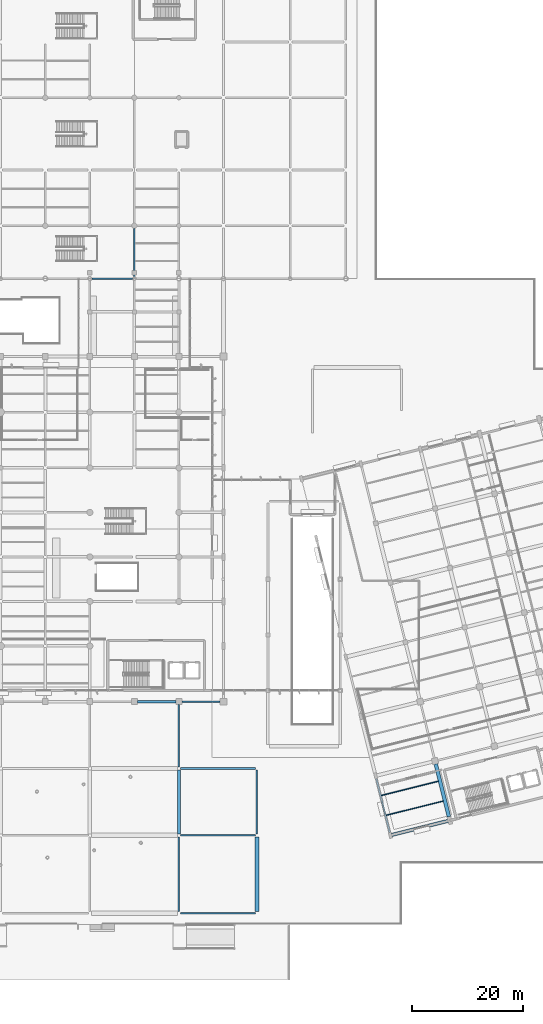
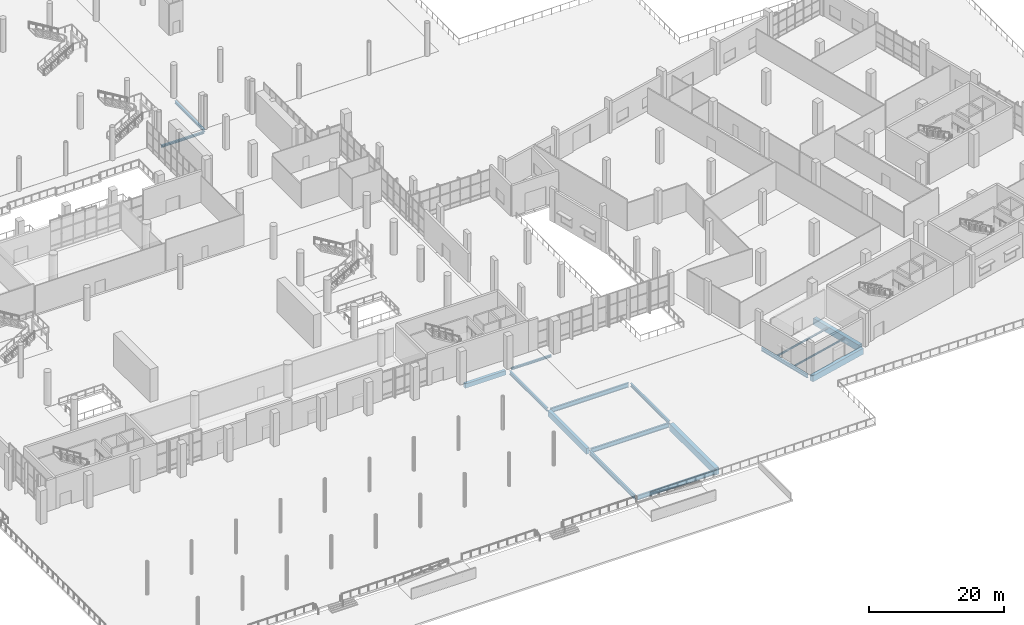
# One storey, part 78 of 163: 17 beams.
"""IFC4 building model written with IfcOpenShell, lengths in metres."""

from ifc_helpers import new_model, si_unit, direction, frame, origin, origin_2d, place, context, subcontext, project, spatial, rectangle, i_section, extrude, material, material_profile, profile_set, type_object, element, save


model = new_model("IFC4")

# Units and contexts
model_context = context("Model", 3, precision=1e-05, world=origin(), true_north=direction((0.0, 1.0)))
body_context = subcontext(model_context, "Body", "Model", "MODEL_VIEW")
ifc_project = project(units=[si_unit("LENGTHUNIT", "METRE"), si_unit("AREAUNIT", "SQUARE_METRE"), si_unit("VOLUMEUNIT", "CUBIC_METRE"), si_unit("PLANEANGLEUNIT", "RADIAN"), si_unit("MASSUNIT", "GRAM", prefix="KILO")], contexts=[model_context])

# Site, building, storey
site_placement = place(None, origin())
site = spatial("IfcSite", under=ifc_project, at=site_placement, CompositionType="ELEMENT")
building_placement = place(site_placement, origin())
building = spatial("IfcBuilding", under=site, at=building_placement, Name="Khorjan Park Terminus", CompositionType="ELEMENT")
storey_placement = place(building_placement, origin())
storey = spatial("IfcBuildingStorey", under=building, at=storey_placement, Name="L00", CompositionType="ELEMENT", Elevation=0.0)

# Beams
ifc_material_1 = material(Name="Steel S355", Category="steel")
ifc_material_profile_1 = material_profile(ifc_material_1, i_section(OverallWidth=0.3, OverallDepth=0.39, WebThickness=0.011, FlangeThickness=0.019, FilletRadius=0.027, at=origin_2d()), Name="HEA 400")
ifc_profile_set_1 = profile_set([ifc_material_profile_1], Name="Steel S355")
beam_type_1 = type_object("IfcBeamType", Name="BM-HEA400", PredefinedType="BEAM", material=ifc_profile_set_1)
beam_1_placement = place(storey_placement, frame((128.52, 26.0, -0.515), z_axis=(1.0, 0.0, 0.0), x_axis=(0.0, 1.0, 0.0)))
element("IfcBeam", 1, at=beam_1_placement, inside=storey, type_object=beam_type_1, Name="Primary floor girder SB-A40 (L00)", PredefinedType="BEAM", context=body_context, shape_type="SweptSolid", body=[
    extrude(i_section(OverallWidth=0.3, OverallDepth=0.39, WebThickness=0.011, FlangeThickness=0.019, FilletRadius=0.027, at=origin_2d()), origin(), (0.0, 0.0, 1.0), 6.885),
])
beam_2_placement = place(storey_placement, frame((112.3505, 102.0, -0.595), z_axis=(1.0, 0.0, 0.0), x_axis=(0.0, 1.0, 0.0)))
element("IfcBeam", 2, at=beam_2_placement, inside=storey, type_object=beam_type_1, Name="Primary floor girder SB-A40 (L00)", PredefinedType="BEAM", context=body_context, shape_type="SweptSolid", body=[
    extrude(i_section(OverallWidth=0.3, OverallDepth=0.39, WebThickness=0.011, FlangeThickness=0.019, FilletRadius=0.027, at=origin_2d()), origin(), (0.0, 0.0, 1.0), 7.3495),
])
ifc_material_profile_2 = material_profile(ifc_material_1, i_section(OverallWidth=0.3, OverallDepth=0.49, WebThickness=0.012, FlangeThickness=0.023, FilletRadius=0.027, at=origin_2d()), Name="HEA 500")
ifc_profile_set_2 = profile_set([ifc_material_profile_2], Name="Steel S355")
beam_type_2 = type_object("IfcBeamType", Name="BM-HEA500", PredefinedType="BEAM", material=ifc_profile_set_2)
beam_3_placement = place(storey_placement, frame((120.0, 102.3, -0.645), z_axis=(0.0, 1.0, 0.0), x_axis=(-1.0, 0.0, 0.0)))
element("IfcBeam", 3, at=beam_3_placement, inside=storey, type_object=beam_type_2, Name="Primary floor girder SB-A50 (L00)", PredefinedType="BEAM", context=body_context, shape_type="SweptSolid", body=[
    extrude(i_section(OverallWidth=0.3, OverallDepth=0.49, WebThickness=0.012, FlangeThickness=0.023, FilletRadius=0.027, at=origin_2d()), origin(), (0.0, 0.0, 1.0), 8.73),
])
ifc_material_profile_3 = material_profile(ifc_material_1, i_section(OverallWidth=0.3, OverallDepth=0.64, WebThickness=0.0135, FlangeThickness=0.026, FilletRadius=0.027, at=origin_2d()), Name="HEA 650")
ifc_profile_set_3 = profile_set([ifc_material_profile_3], Name="Steel S355")
beam_type_3 = type_object("IfcBeamType", Name="BM-HEA650", PredefinedType="BEAM", material=ifc_profile_set_3)
beam_4_placement = place(storey_placement, frame((165.8682, 2.5288, -0.68), z_axis=(-0.24192775306, 0.970294265828, 0.0), x_axis=(-0.970294265828, -0.24192775306, 0.0)))
element("IfcBeam", 4, at=beam_4_placement, inside=storey, type_object=beam_type_3, Name="Primary skew-grid floor girder SB-A65 (L00)", PredefinedType="BEAM", context=body_context, shape_type="SweptSolid", body=[
    extrude(i_section(OverallWidth=0.3, OverallDepth=0.64, WebThickness=0.0135, FlangeThickness=0.026, FilletRadius=0.027, at=origin_2d()), origin(), (0.0, 0.0, 1.0), 9.91),
])
ifc_material_profile_4 = material_profile(ifc_material_1, i_section(OverallWidth=0.3, OverallDepth=0.6, WebThickness=0.0155, FlangeThickness=0.03, FilletRadius=0.027, at=origin_2d()), Name="HEB 600")
ifc_profile_set_4 = profile_set([ifc_material_profile_4], Name="Steel S355")
beam_type_4 = type_object("IfcBeamType", Name="BM-HEB600", PredefinedType="BEAM", material=ifc_profile_set_4)
beam_5_placement = place(storey_placement, frame((128.0, 14.27, -0.62), z_axis=(0.0, 1.0, 0.0), x_axis=(-1.0, 0.0, 0.0)))
element("IfcBeam", 5, at=beam_5_placement, inside=storey, type_object=beam_type_4, Name="Primary floor girder SB-B60 (L00)", PredefinedType="BEAM", context=body_context, shape_type="SweptSolid", body=[
    extrude(i_section(OverallWidth=0.3, OverallDepth=0.6, WebThickness=0.0155, FlangeThickness=0.03, FilletRadius=0.027, at=origin_2d()), origin(), (0.0, 0.0, 1.0), 11.21),
])
beam_6_placement = place(storey_placement, frame((142.0, 2.27, -0.62), z_axis=(0.0, 1.0, 0.0), x_axis=(-1.0, 0.0, 0.0)))
element("IfcBeam", 6, at=beam_6_placement, inside=storey, type_object=beam_type_4, Name="Primary floor girder SB-B60 (L00)", PredefinedType="BEAM", context=body_context, shape_type="SweptSolid", body=[
    extrude(i_section(OverallWidth=0.3, OverallDepth=0.6, WebThickness=0.0155, FlangeThickness=0.03, FilletRadius=0.027, at=origin_2d()), origin(), (0.0, 0.0, 1.0), 11.46),
])
ifc_material_profile_5 = material_profile(ifc_material_1, i_section(OverallWidth=0.3, OverallDepth=0.8, WebThickness=0.0175, FlangeThickness=0.033, FilletRadius=0.03, at=origin_2d()), Name="HEB 800")
ifc_profile_set_5 = profile_set([ifc_material_profile_5], Name="Steel S355")
beam_type_5 = type_object("IfcBeamType", Name="BM-HEB800", PredefinedType="BEAM", material=ifc_profile_set_5)
for number, where, z_axis, x_axis, name in (
    (7, (128.27, -12.0, -0.72), (1.0, 0.0, 0.0), (0.0, 1.0, 0.0), "Primary floor girder SB-B80 (L00)"),
    (8, (128.27, 2.0, -0.72), (1.0, 0.0, 0.0), (0.0, 1.0, 0.0), "Primary floor girder SB-B80 (L00)"),
    (9, (128.27, 14.0, -0.72), (1.0, 0.0, 0.0), (0.0, 1.0, 0.0), "Primary floor girder SB-B80 (L00)"),
    (10, (128.0, -11.73, -0.72), (0.0, 1.0, 0.0), (-1.0, 0.0, 0.0), "Primary floor girder SB-B80 (L00)"),
):
    element("IfcBeam", number, at=place(storey_placement, frame(where, z_axis=z_axis, x_axis=x_axis)), inside=storey, type_object=beam_type_5, Name=name, PredefinedType="BEAM", context=body_context, shape_type="SweptSolid", body=[
        extrude(i_section(OverallWidth=0.3, OverallDepth=0.8, WebThickness=0.0175, FlangeThickness=0.033, FilletRadius=0.03, at=origin_2d()), origin(), (0.0, 0.0, 1.0), 13.46),
    ])
ifc_material_2 = material(Name="Concrete C40/50", Category="concrete")
ifc_material_profile_6 = material_profile(ifc_material_2, rectangle(XDim=0.5, YDim=0.8, at=origin_2d()), Name="RC 500x800")
ifc_profile_set_6 = profile_set([ifc_material_profile_6], Name="Concrete C40/50")
beam_type_6 = type_object("IfcBeamType", Name="BM-RC500x800", PredefinedType="BEAM", material=ifc_profile_set_6)
beam_7_placement = place(storey_placement, frame((120.52, 26.0, -0.72), z_axis=(1.0, 0.0, 0.0), x_axis=(0.0, 1.0, 0.0)))
element("IfcBeam", 11, at=beam_7_placement, inside=storey, type_object=beam_type_6, Name="Primary floor girder GB-08 (L00)", PredefinedType="BEAM", context=body_context, shape_type="SweptSolid", body=[
    extrude(rectangle(XDim=0.5, YDim=0.8, at=origin_2d()), origin(), (0.0, 0.0, 1.0), 6.96),
])
ifc_material_profile_7 = material_profile(ifc_material_2, rectangle(XDim=0.55, YDim=1.05, at=origin_2d()), Name="RC 550x1050")
ifc_profile_set_7 = profile_set([ifc_material_profile_7], Name="Concrete C40/50")
beam_type_7 = type_object("IfcBeamType", Name="BM-RC550x1050", PredefinedType="BEAM", material=ifc_profile_set_7)
beam_8_placement = place(storey_placement, frame((128.0, 2.27, -0.845), z_axis=(0.0, 1.0, 0.0), x_axis=(-1.0, 0.0, 0.0)))
element("IfcBeam", 12, at=beam_8_placement, inside=storey, type_object=beam_type_7, Name="Primary floor girder GB-105 (L00)", PredefinedType="BEAM", context=body_context, shape_type="SweptSolid", body=[
    extrude(rectangle(XDim=0.55, YDim=1.05, at=origin_2d()), origin(), (0.0, 0.0, 1.0), 11.46),
])
ifc_material_profile_8 = material_profile(ifc_material_2, rectangle(XDim=0.6, YDim=1.1, at=origin_2d()), Name="RC 600x1100")
ifc_profile_set_8 = profile_set([ifc_material_profile_8], Name="Concrete C40/50")
beam_type_8 = type_object("IfcBeamType", Name="BM-RC600x1100", PredefinedType="BEAM", material=ifc_profile_set_8)
beam_9_placement = place(storey_placement, frame((166.2377, 2.0593, -0.91), z_axis=(0.970296003428, 0.241920784001, 0.0), x_axis=(-0.241920784001, 0.970296003428, 0.0)))
element("IfcBeam", 13, at=beam_9_placement, inside=storey, type_object=beam_type_8, Name="Primary skew-grid floor girder GB-11 (L00)", PredefinedType="BEAM", context=body_context, shape_type="SweptSolid", body=[
    extrude(rectangle(XDim=0.6, YDim=1.1, at=origin_2d()), origin(), (0.0, 0.0, 1.0), 10.41),
])
ifc_material_profile_9 = material_profile(ifc_material_2, rectangle(XDim=0.65, YDim=1.2, at=origin_2d()), Name="RC 650x1200")
ifc_profile_set_9 = profile_set([ifc_material_profile_9], Name="Concrete C40/50")
beam_type_9 = type_object("IfcBeamType", Name="BM-RC650x1200", PredefinedType="BEAM", material=ifc_profile_set_9)
beam_10_placement = place(storey_placement, frame((176.5051, 5.3355, -0.96), z_axis=(-0.241915999835, 0.970297196236, 0.0), x_axis=(-0.970297196236, -0.241915999835, 0.0)))
element("IfcBeam", 14, at=beam_10_placement, inside=storey, type_object=beam_type_9, Name="Primary skew-grid floor girder GB-12 (L00)", PredefinedType="BEAM", context=body_context, shape_type="SweptSolid", body=[
    extrude(rectangle(XDim=0.65, YDim=1.2, at=origin_2d()), origin(), (0.0, 0.0, 1.0), 9.76),
])
ifc_material_profile_10 = material_profile(ifc_material_2, rectangle(XDim=0.7, YDim=1.25, at=origin_2d()), Name="RC 700x1250")
ifc_profile_set_10 = profile_set([ifc_material_profile_10], Name="Concrete C40/50")
beam_type_10 = type_object("IfcBeamType", Name="BM-RC700x1250", PredefinedType="BEAM", material=ifc_profile_set_10)
beam_11_placement = place(storey_placement, frame((142.0, -11.73, -0.945), z_axis=(0.0, 1.0, 0.0), x_axis=(-1.0, 0.0, 0.0)))
element("IfcBeam", 15, at=beam_11_placement, inside=storey, type_object=beam_type_10, Name="Primary floor girder GB-125 (L00)", PredefinedType="BEAM", context=body_context, shape_type="SweptSolid", body=[
    extrude(rectangle(XDim=0.7, YDim=1.25, at=origin_2d()), origin(), (0.0, 0.0, 1.0), 13.46),
])
ifc_material_profile_11 = material_profile(ifc_material_1, i_section(OverallWidth=0.15, OverallDepth=0.3, WebThickness=0.0071, FlangeThickness=0.0107, FilletRadius=0.015, at=origin_2d()), Name="IPE 300")
ifc_profile_set_11 = profile_set([ifc_material_profile_11], Name="Steel S355")
beam_type_11 = type_object("IfcBeamType", Name="JS-IPE300", PredefinedType="JOIST", material=ifc_profile_set_11)
beam_12_placement = place(storey_placement, frame((165.2585, 5.5941, -0.51), z_axis=(0.970296558074, 0.241918559415, 0.0), x_axis=(-0.241918559415, 0.970296558074, 0.0)))
element("IfcBeam", 16, at=beam_12_placement, inside=storey, type_object=beam_type_11, Name="Secondary composite floor joist SJ-30 (L00)", PredefinedType="JOIST", context=body_context, shape_type="SweptSolid", body=[
    extrude(i_section(OverallWidth=0.15, OverallDepth=0.3, WebThickness=0.0071, FlangeThickness=0.0107, FilletRadius=0.015, at=origin_2d()), origin(), (0.0, 0.0, 1.0), 10.525),
])
ifc_material_profile_12 = material_profile(ifc_material_1, i_section(OverallWidth=0.16, OverallDepth=0.33, WebThickness=0.0075, FlangeThickness=0.0115, FilletRadius=0.018, at=origin_2d()), Name="IPE 330")
ifc_profile_set_12 = profile_set([ifc_material_profile_12], Name="Steel S355")
beam_type_12 = type_object("IfcBeamType", Name="JS-IPE330", PredefinedType="JOIST", material=ifc_profile_set_12)
beam_13_placement = place(storey_placement, frame((164.3715, 9.1518, -0.525), z_axis=(0.970296002015, 0.241920789668, 0.0), x_axis=(-0.241920789668, 0.970296002015, 0.0)))
element("IfcBeam", 17, at=beam_13_placement, inside=storey, type_object=beam_type_12, Name="Secondary composite floor joist SJ-33 (L00)", PredefinedType="JOIST", context=body_context, shape_type="SweptSolid", body=[
    extrude(i_section(OverallWidth=0.16, OverallDepth=0.33, WebThickness=0.0075, FlangeThickness=0.0115, FilletRadius=0.018, at=origin_2d()), origin(), (0.0, 0.0, 1.0), 10.5249),
])

save(model, "model.ifc")
